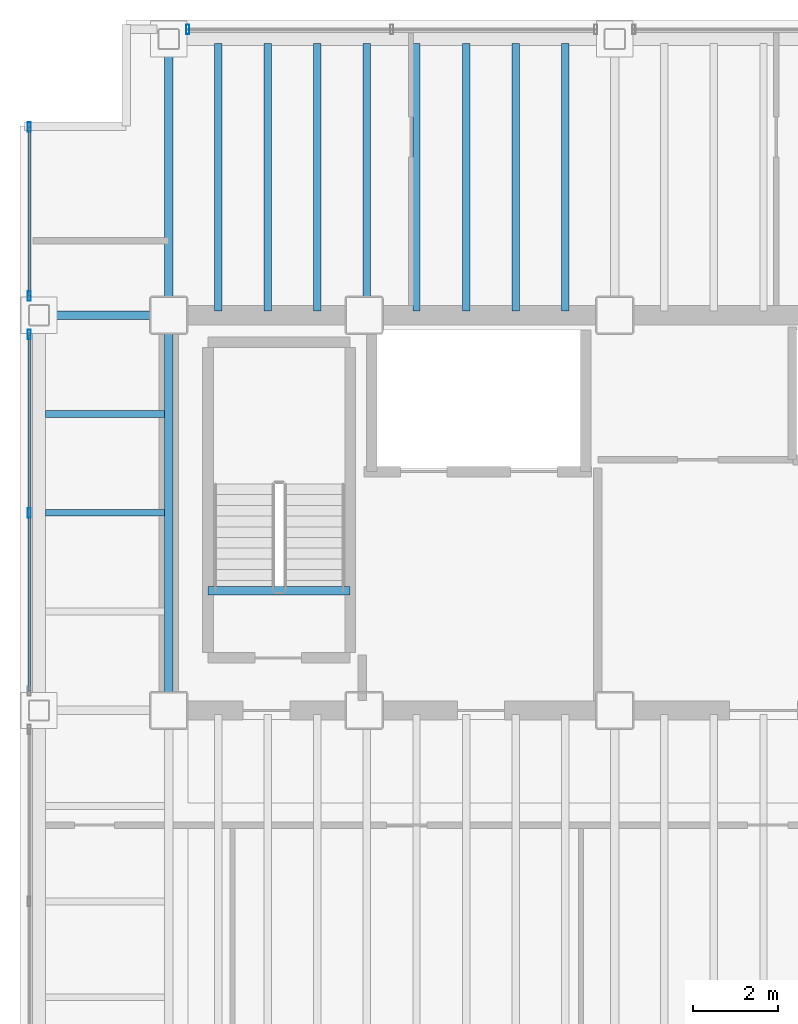
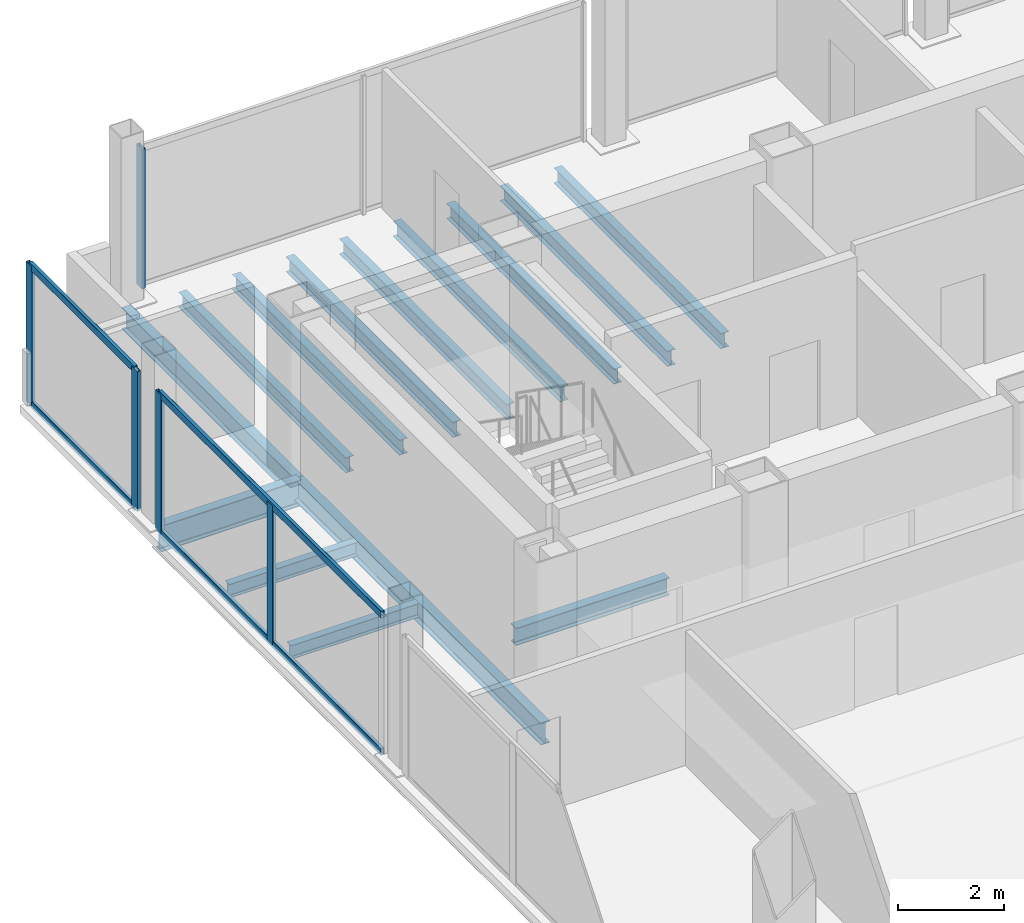
# One storey, part 6 of 15: 14 beams, 9 members, 3 elements without a shape of their own.
"""IFC4 building model written with IfcOpenShell, lengths in metres."""

import ifcopenshell
import ifcopenshell.guid

model = None  # the IFC model being written
_history = None  # IfcOwnerHistory: only IFC2X3 demands one
_inside = {}  # id of a spatial element -> (the spatial element, [elements in it])
_under = {}  # id of a project, library or spatial element -> (it, [spatial elements below it])
_declared = {}  # id of a project -> (the project, [libraries it declares])
_typed = {}  # id of a type object -> (the type object, [elements of that type])
_made_of = {}  # id of a material, layer set ... -> (it, [elements and type objects made of it])


def new_model(schema):
    """Start an empty IFC model of exactly this schema.

    Asked for "IFC4X3", IfcOpenShell would pick the latest addendum, in which some entities
    have other attributes; the version numbers below select the first issue.
    IFC2X3 requires an IfcOwnerHistory on every rooted entity: one is made here for all.
    """
    global model, _history
    if schema == "IFC4X3":
        model = ifcopenshell.file(schema_version=(4, 3, 0, 0))
    else:
        model = ifcopenshell.file(schema=schema)
    _inside.clear()
    _under.clear()
    _declared.clear()
    _typed.clear()
    _made_of.clear()
    _history = None
    if model.schema == "IFC2X3":
        org = make("IfcOrganization", Name="unknown")
        user = make(
            "IfcPersonAndOrganization",
            ThePerson=make("IfcPerson", FamilyName="unknown"),
            TheOrganization=org,
        )
        app = make(
            "IfcApplication",
            ApplicationDeveloper=org,
            Version="unknown",
            ApplicationFullName="unknown",
            ApplicationIdentifier="unknown",
        )
        _history = make(
            "IfcOwnerHistory",
            OwningUser=user,
            OwningApplication=app,
            ChangeAction="ADDED",
            CreationDate=0,
        )
    return model


def make(cls, **values):
    """One entity of the class cls with the attributes given. An attribute that is None is left unset."""
    return model.create_entity(
        cls, **{name: value for name, value in values.items() if value is not None}
    )


def rooted(cls, **values):
    """An entity with a GlobalId (a new one), such as an element, a storey or a relation."""
    return make(cls, GlobalId=ifcopenshell.guid.new(), OwnerHistory=_history, **values)


def si_unit(unit_type, name, prefix=None):
    """IfcSIUnit, for example si_unit("LENGTHUNIT", "METRE", prefix="MILLI")."""
    return make("IfcSIUnit", UnitType=unit_type, Prefix=prefix, Name=name)


def assignment(units):
    """IfcUnitAssignment: the units of a project."""
    return None if units is None else make("IfcUnitAssignment", Units=units)


def point(xyz):
    """IfcCartesianPoint."""
    return None if xyz is None else make("IfcCartesianPoint", Coordinates=xyz)


def direction(xyz):
    """IfcDirection."""
    return None if xyz is None else make("IfcDirection", DirectionRatios=xyz)


def frame(location, z_axis=None, x_axis=None):
    """IfcAxis2Placement3D, a coordinate frame: its origin and axes. An axis left out is left unset."""
    return make(
        "IfcAxis2Placement3D",
        Location=point(location),
        Axis=direction(z_axis),
        RefDirection=direction(x_axis),
    )


def frame_2d(location, x_axis=None):
    """IfcAxis2Placement2D, a coordinate frame in the plane: its origin and x axis."""
    return make(
        "IfcAxis2Placement2D", Location=point(location), RefDirection=direction(x_axis)
    )


def origin():
    """The frame at (0, 0, 0) with its axes left unset."""
    return frame((0.0, 0.0, 0.0))


def origin_2d():
    """The frame at (0, 0) in the plane with its x axis left unset."""
    return frame_2d((0.0, 0.0))


def place(relative_to, where):
    """IfcLocalPlacement: puts the frame where relative to a parent placement (None: the world)."""
    return make(
        "IfcLocalPlacement", PlacementRelTo=relative_to, RelativePlacement=where
    )


def context(
    kind, dimensions, precision=None, world=None, true_north=None, identifier=None
):
    """IfcGeometricRepresentationContext, for example the 3D "Model" context."""
    return make(
        "IfcGeometricRepresentationContext",
        ContextIdentifier=identifier,
        ContextType=kind,
        CoordinateSpaceDimension=dimensions,
        Precision=precision,
        WorldCoordinateSystem=world,
        TrueNorth=true_north,
    )


def subcontext(parent, identifier, kind, view, scale=None):
    """IfcGeometricRepresentationSubContext, for example "Body" below "Model"."""
    return make(
        "IfcGeometricRepresentationSubContext",
        ContextIdentifier=identifier,
        ContextType=kind,
        ParentContext=parent,
        TargetScale=scale,
        TargetView=view,
    )


def project(units=None, contexts=None):
    """IfcProject with its units and contexts."""
    return rooted(
        "IfcProject",
        Name="project",
        RepresentationContexts=contexts,
        UnitsInContext=assignment(units),
    )


def spatial(cls, under=None, at=None, **own):
    """A site, building, storey or space (cls), placed at a placement, below another one or the project."""
    s = rooted(cls, ObjectPlacement=at, **own)
    if under is not None:
        _under.setdefault(under.id(), (under, []))[1].append(s)
    return s


def profile(cls, at=None, kind="AREA", **sizes):
    """A parametric profile (cls). Its sizes go by their IFC names, for example OverallWidth=200.0."""
    return make(cls, ProfileType=kind, Position=at, **sizes)


def hollow_rectangle(**sizes):
    """IfcRectangleHollowProfileDef."""
    return profile("IfcRectangleHollowProfileDef", **sizes)


def i_section(**sizes):
    """IfcIShapeProfileDef."""
    return profile("IfcIShapeProfileDef", **sizes)


def extrude(swept, where, along, depth):
    """IfcExtrudedAreaSolid: the profile swept, set in the frame where, extruded along a direction by depth."""
    return make(
        "IfcExtrudedAreaSolid",
        SweptArea=swept,
        Position=where,
        ExtrudedDirection=direction(along),
        Depth=depth,
    )


def shape(context_of_items, identifier, shape_type, items):
    """IfcShapeRepresentation: the items that make up one representation, for example the "Body"."""
    return make(
        "IfcShapeRepresentation",
        ContextOfItems=context_of_items,
        RepresentationIdentifier=identifier,
        RepresentationType=shape_type,
        Items=items,
    )


def material(Name=None, Category=None):
    """IfcMaterial."""
    return make("IfcMaterial", Name=Name, Category=Category)


def material_profile(
    of_material, cross_section, Name=None, Category=None, Priority=None
):
    """IfcMaterialProfile: a cross section and its material."""
    return make(
        "IfcMaterialProfile",
        Name=Name,
        Material=of_material,
        Profile=cross_section,
        Priority=Priority,
        Category=Category,
    )


def profile_set(profiles, Name=None, composite=None):
    """IfcMaterialProfileSet."""
    return make(
        "IfcMaterialProfileSet",
        Name=Name,
        MaterialProfiles=profiles,
        CompositeProfile=composite,
    )


def made_of(thing, what):
    """Note that an element or type object is made of a material, layer set ...; save() writes the relation."""
    if what is not None:
        _made_of.setdefault(what.id(), (what, []))[1].append(thing)
    return thing


def type_object(cls, material=None, **own):
    """A type object (cls), such as IfcWallType, which elements share."""
    return made_of(rooted(cls, **own), material)


def element(
    cls,
    number,
    at=None,
    inside=None,
    cuts=None,
    type_object=None,
    material=None,
    context=None,
    identifier="Body",
    shape_type=None,
    held_by="IfcProductDefinitionShape",
    body=None,
    shapes=None,
    **own,
):
    """One element of the class cls, such as IfcWall. Its Tag is "e" and its number.

    at: its placement. inside: the storey or other place that contains it. cuts: it is an
    opening in that element (IfcRelVoidsElement). A single representation is given by context,
    identifier, shape_type and body (its items); several are given by shapes. held_by: the class
    of the entity that holds the representations. save() writes the other relations.
    """
    e = rooted(cls, Tag="e%d" % number, ObjectPlacement=at, **own)
    if body is not None:
        shapes = [shape(context, identifier, shape_type, body)]
    if shapes is not None:
        e.Representation = make(held_by, Representations=shapes)
    if inside is not None:
        _inside.setdefault(inside.id(), (inside, []))[1].append(e)
    if cuts is not None:
        rooted(
            "IfcRelVoidsElement", RelatingBuildingElement=cuts, RelatedOpeningElement=e
        )
    if type_object is not None:
        _typed.setdefault(type_object.id(), (type_object, []))[1].append(e)
    return made_of(e, material)


def aggregate(whole, parts):
    """IfcRelAggregates: a whole, such as a stair, and the parts it consists of."""
    return rooted("IfcRelAggregates", RelatingObject=whole, RelatedObjects=parts)


def save(model, path):
    """Write the relations noted so far, then the file.

    IfcRelAggregates (storeys below a building ...), IfcRelContainedInSpatialStructure (elements
    in a storey), IfcRelDefinesByType, IfcRelAssociatesMaterial and IfcRelDeclares: one each for
    every whole, place, type object, material and project.
    """
    for whole, parts in _under.values():
        aggregate(whole, parts)
    for where, things in _inside.values():
        rooted(
            "IfcRelContainedInSpatialStructure",
            RelatedElements=things,
            RelatingStructure=where,
        )
    for kind, things in _typed.values():
        rooted("IfcRelDefinesByType", RelatedObjects=things, RelatingType=kind)
    for what, things in _made_of.values():
        rooted("IfcRelAssociatesMaterial", RelatedObjects=things, RelatingMaterial=what)
    for by, libraries in _declared.values():
        rooted("IfcRelDeclares", RelatingContext=by, RelatedDefinitions=libraries)
    model.write(path)


model = new_model("IFC4")

# Units and contexts
model_context = context("Model", 3, precision=1e-05, world=origin(), true_north=direction((0.0, 1.0)))
body_context = subcontext(model_context, "Body", "Model", "MODEL_VIEW")
ifc_project = project(units=[si_unit("LENGTHUNIT", "METRE"), si_unit("AREAUNIT", "SQUARE_METRE"), si_unit("VOLUMEUNIT", "CUBIC_METRE"), si_unit("PLANEANGLEUNIT", "RADIAN"), si_unit("MASSUNIT", "GRAM", prefix="KILO")], contexts=[model_context])

# Site, building, storey
site_placement = place(None, origin())
site = spatial("IfcSite", under=ifc_project, at=site_placement, CompositionType="ELEMENT")
building_placement = place(site_placement, origin())
building = spatial("IfcBuilding", under=site, at=building_placement, Name="Noeulbin Bourse Tower", CompositionType="ELEMENT")
storey_placement = place(building_placement, frame((0.0, 0.0, 189.0)))
storey = spatial("IfcBuildingStorey", under=building, at=storey_placement, Name="L47", CompositionType="ELEMENT", Elevation=189.0)

# Beams
ifc_material_1 = material(Name="Steel S355", Category="steel")
ifc_material_profile_1 = material_profile(ifc_material_1, i_section(OverallWidth=0.199951171875, OverallDepth=0.5, WebThickness=0.010009765625, FlangeThickness=0.01611328125, FilletRadius=0.02001953125, at=origin_2d()), Name="H-500x200x10x16", Category="LoadBearing")
ifc_profile_set_1 = profile_set([ifc_material_profile_1], Name="Steel S355")
beam_type_1 = type_object("IfcBeamType", Name="BM-GRD-500", PredefinedType="USERDEFINED", material=ifc_profile_set_1)
beam_1_placement = place(storey_placement, frame((13.5, 29.0, -0.429931640625), z_axis=(0.0, 1.0, 0.0), x_axis=(-1.0, 0.0, 0.0)))
element("IfcBeam", 1, at=beam_1_placement, inside=storey, type_object=beam_type_1, Name="Tower Primary Girder NS L47-1.3", ObjectType="GIRDER", PredefinedType="USERDEFINED", context=body_context, shape_type="SweptSolid", body=[
    extrude(i_section(OverallWidth=0.199951171875, OverallDepth=0.5, WebThickness=0.010009765625, FlangeThickness=0.01611328125, FilletRadius=0.02001953125, at=origin_2d()), origin(), (0.0, 0.0, 1.0), 9.300048828125),
])
beam_2_placement = place(storey_placement, frame((13.5, 38.300048828125, -0.429931640625), z_axis=(0.0, 1.0, 0.0), x_axis=(-1.0, 0.0, 0.0)))
element("IfcBeam", 2, at=beam_2_placement, inside=storey, type_object=beam_type_1, Name="Tower Primary Girder NS L47-1.4", ObjectType="GIRDER", PredefinedType="USERDEFINED", context=body_context, shape_type="SweptSolid", body=[
    extrude(i_section(OverallWidth=0.199951171875, OverallDepth=0.5, WebThickness=0.010009765625, FlangeThickness=0.01611328125, FilletRadius=0.02001953125, at=origin_2d()), origin(), (0.0, 0.0, 1.0), 6.5),
])
ifc_material_profile_2 = material_profile(ifc_material_1, i_section(OverallWidth=0.199951171875, OverallDepth=0.60009765625, WebThickness=0.010986328125, FlangeThickness=0.01708984375, FilletRadius=0.02197265625, at=origin_2d()), Name="H-600x200x11x17", Category="LoadBearing")
ifc_profile_set_2 = profile_set([ifc_material_profile_2], Name="Steel S355")
beam_type_2 = type_object("IfcBeamType", Name="BM-GRD-600", PredefinedType="USERDEFINED", material=ifc_profile_set_2)
beam_3_placement = place(storey_placement, frame((10.449951171875, 38.300048828125, -0.47998046875), z_axis=(1.0, 0.0, 0.0), x_axis=(0.0, 1.0, 0.0)))
element("IfcBeam", 3, at=beam_3_placement, inside=storey, type_object=beam_type_2, Name="Tower Primary Girder EW L47-3.1", ObjectType="GIRDER", PredefinedType="USERDEFINED", context=body_context, shape_type="SweptSolid", body=[
    extrude(i_section(OverallWidth=0.199951171875, OverallDepth=0.60009765625, WebThickness=0.010986328125, FlangeThickness=0.01708984375, FilletRadius=0.02197265625, at=origin_2d()), origin(), (0.0, 0.0, 1.0), 3.050048828125),
])
ifc_material_profile_3 = material_profile(ifc_material_1, i_section(OverallWidth=0.159912109375, OverallDepth=0.320068359375, WebThickness=0.006591796875, FlangeThickness=0.010009765625, FilletRadius=0.012939453125, at=origin_2d()), Name="H-320x160x6.5x10", Category="LoadBearing")
ifc_profile_set_3 = profile_set([ifc_material_profile_3], Name="Steel S355")
beam_type_3 = type_object("IfcBeamType", Name="BM-JST-320", PredefinedType="JOIST", material=ifc_profile_set_3)
for number, where, z_axis, x_axis, name in (
    (4, (10.60009765625, 33.64990234375, -0.340087890625), (1.0, 0.0, 0.0), (0.0, 1.0, 0.0), "Wing Composite Joist L47-W71"),
    (5, (10.60009765625, 35.97509765625, -0.340087890625), (1.0, 0.0, 0.0), (0.0, 1.0, 0.0), "Wing Composite Joist L47-W72"),
):
    element("IfcBeam", number, at=place(storey_placement, frame(where, z_axis=z_axis, x_axis=x_axis)), inside=storey, type_object=beam_type_3, Name=name, PredefinedType="JOIST", context=body_context, shape_type="SweptSolid", body=[
        extrude(i_section(OverallWidth=0.159912109375, OverallDepth=0.320068359375, WebThickness=0.006591796875, FlangeThickness=0.010009765625, FilletRadius=0.012939453125, at=origin_2d()), origin(), (0.0, 0.0, 1.0), 2.7998046875),
    ])
ifc_material_profile_4 = material_profile(ifc_material_1, i_section(OverallWidth=0.175048828125, OverallDepth=0.35009765625, WebThickness=0.007080078125, FlangeThickness=0.010986328125, FilletRadius=0.013916015625, at=origin_2d()), Name="H-350x175x7x11", Category="LoadBearing")
ifc_profile_set_4 = profile_set([ifc_material_profile_4], Name="Steel S355")
beam_type_4 = type_object("IfcBeamType", Name="BM-JST-350", PredefinedType="JOIST", material=ifc_profile_set_4)
for number, where, z_axis, x_axis, name in (
    (6, (14.666748046875, 38.39990234375, -0.35498046875), (0.0, 1.0, 0.0), (-1.0, 0.0, 0.0), "Tower Composite Joist L47-03"),
    (7, (15.833251953125, 38.39990234375, -0.35498046875), (0.0, 1.0, 0.0), (-1.0, 0.0, 0.0), "Tower Composite Joist L47-06"),
    (8, (17.0, 38.39990234375, -0.35498046875), (0.0, 1.0, 0.0), (-1.0, 0.0, 0.0), "Tower Composite Joist L47-09"),
    (9, (18.166748046875, 38.39990234375, -0.35498046875), (0.0, 1.0, 0.0), (-1.0, 0.0, 0.0), "Tower Composite Joist L47-12"),
    (10, (19.333251953125, 38.39990234375, -0.35498046875), (0.0, 1.0, 0.0), (-1.0, 0.0, 0.0), "Tower Composite Joist L47-15"),
    (11, (20.5, 38.39990234375, -0.35498046875), (0.0, 1.0, 0.0), (-1.0, 0.0, 0.0), "Tower Composite Joist L47-18"),
    (12, (21.666748046875, 38.39990234375, -0.35498046875), (0.0, 1.0, 0.0), (-1.0, 0.0, 0.0), "Tower Composite Joist L47-21"),
    (13, (22.833251953125, 38.39990234375, -0.35498046875), (0.0, 1.0, 0.0), (-1.0, 0.0, 0.0), "Tower Composite Joist L47-24"),
):
    element("IfcBeam", number, at=place(storey_placement, frame(where, z_axis=z_axis, x_axis=x_axis)), inside=storey, type_object=beam_type_4, Name=name, PredefinedType="JOIST", context=body_context, shape_type="SweptSolid", body=[
        extrude(i_section(OverallWidth=0.175048828125, OverallDepth=0.35009765625, WebThickness=0.007080078125, FlangeThickness=0.010986328125, FilletRadius=0.013916015625, at=origin_2d()), origin(), (0.0, 0.0, 1.0), 6.300048828125),
    ])
ifc_material_profile_5 = material_profile(ifc_material_1, i_section(OverallWidth=0.199951171875, OverallDepth=0.39990234375, WebThickness=0.008056640625, FlangeThickness=0.012939453125, FilletRadius=0.01611328125, at=origin_2d()), Name="H-400x200x8x13", Category="LoadBearing")
ifc_profile_set_5 = profile_set([ifc_material_profile_5], Name="Steel S355")
beam_type_5 = type_object("IfcBeamType", Name="BM-SEC-400", PredefinedType="BEAM", material=ifc_profile_set_5)
beam_4_placement = place(storey_placement, frame((14.429931640625, 31.820068359375, -0.199951171875), z_axis=(1.0, 0.0, 0.0), x_axis=(0.0, 1.0, 0.0)))
element("IfcBeam", 14, at=beam_4_placement, inside=storey, type_object=beam_type_5, Name="Stair Threshold Trimmer Beam ST1-L47", PredefinedType="BEAM", context=body_context, shape_type="SweptSolid", body=[
    extrude(i_section(OverallWidth=0.199951171875, OverallDepth=0.39990234375, WebThickness=0.008056640625, FlangeThickness=0.012939453125, FilletRadius=0.01611328125, at=origin_2d()), origin(), (0.0, 0.0, 1.0), 3.340087890625),
])

# Curtain wall, member
ifc_material_2 = material(Name="Dark Tinted Triple Glazing", Category="glass")
curtain_wall_type = type_object("IfcCurtainWallType", Name="CW-SYS-3", PredefinedType="NOTDEFINED", material=ifc_material_2)
curtain_wall_1_placement = place(storey_placement, origin())
curtain_wall_1 = element("IfcCurtainWall", 15, at=curtain_wall_1_placement, inside=storey, type_object=curtain_wall_type, Name="Unitised Curtain Wall CW-L47-N-S1", PredefinedType="NOTDEFINED")
ifc_material_3 = material(Name="Anodised Aluminium 6063-T6", Category="aluminium")
ifc_material_profile_6 = material_profile(ifc_material_3, hollow_rectangle(XDim=0.074951171875, YDim=0.219970703125, WallThickness=0.0048828125, InnerFilletRadius=0.00244140625, OuterFilletRadius=0.0048828125, at=origin_2d()), Name="ALU-MULL-75x220x5", Category="LoadBearing")
ifc_profile_set_6 = profile_set([ifc_material_profile_6], Name="Anodised Aluminium 6063-T6")
member_type_1 = type_object("IfcMemberType", Name="CW-SYS-3-MUL", PredefinedType="MULLION", material=ifc_profile_set_6)
member_1_placement = place(storey_placement, frame((13.949951171875, 45.030029296875, -0.02001953125), z_axis=(0.0, 0.0, 1.0), x_axis=(1.0, 0.0, 0.0)))
member_1 = element("IfcMember", 16, at=member_1_placement, type_object=member_type_1, Name="Curtain Wall Mullion CW-L47-N-S1-M00", PredefinedType="MULLION", context=body_context, shape_type="SweptSolid", body=[
    extrude(hollow_rectangle(XDim=0.074951171875, YDim=0.219970703125, WallThickness=0.0048828125, InnerFilletRadius=0.00244140625, OuterFilletRadius=0.0048828125, at=origin_2d()), origin(), (0.0, 0.0, 1.0), 3.219970703125),
])
aggregate(curtain_wall_1, [member_1])

# Curtain wall, members
curtain_wall_2_placement = place(storey_placement, origin())
curtain_wall_2 = element("IfcCurtainWall", 17, at=curtain_wall_2_placement, inside=storey, type_object=curtain_wall_type, Name="Unitised Curtain Wall CW-L47-W-S2", PredefinedType="NOTDEFINED")
member_2_placement = place(storey_placement, frame((10.219970703125, 33.64990234375, -0.02001953125), z_axis=(0.0, 0.0, 1.0), x_axis=(1.0, 0.0, 0.0)))
member_2 = element("IfcMember", 18, at=member_2_placement, type_object=member_type_1, Name="Curtain Wall Mullion CW-L47-W-S2-M01", PredefinedType="MULLION", context=body_context, shape_type="SweptSolid", body=[
    extrude(hollow_rectangle(XDim=0.074951171875, YDim=0.219970703125, WallThickness=0.0048828125, InnerFilletRadius=0.00244140625, OuterFilletRadius=0.0048828125, at=origin_2d()), origin(), (0.0, 0.0, 1.0), 3.219970703125),
])
member_3_placement = place(storey_placement, frame((10.219970703125, 37.85009765625, -0.02001953125), z_axis=(0.0, 0.0, 1.0), x_axis=(1.0, 0.0, 0.0)))
member_3 = element("IfcMember", 19, at=member_3_placement, type_object=member_type_1, Name="Curtain Wall Mullion CW-L47-W-S2-M02", PredefinedType="MULLION", context=body_context, shape_type="SweptSolid", body=[
    extrude(hollow_rectangle(XDim=0.074951171875, YDim=0.219970703125, WallThickness=0.0048828125, InnerFilletRadius=0.00244140625, OuterFilletRadius=0.0048828125, at=origin_2d()), origin(), (0.0, 0.0, 1.0), 3.219970703125),
])

curtain_wall_3_placement = place(storey_placement, origin())
curtain_wall_3 = element("IfcCurtainWall", 20, at=curtain_wall_3_placement, inside=storey, type_object=curtain_wall_type, Name="Unitised Curtain Wall CW-L47-W-S3", PredefinedType="NOTDEFINED")
member_4_placement = place(storey_placement, frame((10.219970703125, 38.75, -0.02001953125), z_axis=(0.0, 0.0, 1.0), x_axis=(1.0, 0.0, 0.0)))
member_4 = element("IfcMember", 21, at=member_4_placement, type_object=member_type_1, Name="Curtain Wall Mullion CW-L47-W-S3-M00", PredefinedType="MULLION", context=body_context, shape_type="SweptSolid", body=[
    extrude(hollow_rectangle(XDim=0.074951171875, YDim=0.219970703125, WallThickness=0.0048828125, InnerFilletRadius=0.00244140625, OuterFilletRadius=0.0048828125, at=origin_2d()), origin(), (0.0, 0.0, 1.0), 3.219970703125),
])
member_5_placement = place(storey_placement, frame((10.219970703125, 42.72998046875, -0.02001953125), z_axis=(0.0, 0.0, 1.0), x_axis=(1.0, 0.0, 0.0)))
member_5 = element("IfcMember", 22, at=member_5_placement, type_object=member_type_1, Name="Curtain Wall Mullion CW-L47-W-S3-M01", PredefinedType="MULLION", context=body_context, shape_type="SweptSolid", body=[
    extrude(hollow_rectangle(XDim=0.074951171875, YDim=0.219970703125, WallThickness=0.0048828125, InnerFilletRadius=0.00244140625, OuterFilletRadius=0.0048828125, at=origin_2d()), origin(), (0.0, 0.0, 1.0), 3.219970703125),
])

# Member
ifc_material_profile_7 = material_profile(ifc_material_3, hollow_rectangle(XDim=0.074951171875, YDim=0.159912109375, WallThickness=0.0048828125, InnerFilletRadius=0.00244140625, OuterFilletRadius=0.0048828125, at=origin_2d()), Name="ALU-TRAN-75x160x5", Category="LoadBearing")
ifc_profile_set_7 = profile_set([ifc_material_profile_7], Name="Anodised Aluminium 6063-T6")
member_type_2 = type_object("IfcMemberType", Name="CW-SYS-3-TRN", PredefinedType="USERDEFINED", material=ifc_profile_set_7)
member_6_placement = place(storey_placement, frame((10.219970703125, 29.4599609375, 0.010009765625), z_axis=(0.0, 1.0, 0.0), x_axis=(-1.0, 0.0, 0.0)))
member_6 = element("IfcMember", 23, at=member_6_placement, type_object=member_type_2, Name="Curtain Wall Transom CW-L47-W-S2-T00", ObjectType="TRANSOM", PredefinedType="USERDEFINED", context=body_context, shape_type="SweptSolid", body=[
    extrude(hollow_rectangle(XDim=0.074951171875, YDim=0.159912109375, WallThickness=0.0048828125, InnerFilletRadius=0.00244140625, OuterFilletRadius=0.0048828125, at=origin_2d()), origin(), (0.0, 0.0, 1.0), 8.380126953125),
])

member_7_placement = place(storey_placement, frame((10.219970703125, 29.4599609375, 3.169921875), z_axis=(0.0, 1.0, 0.0), x_axis=(-1.0, 0.0, 0.0)))
member_7 = element("IfcMember", 24, at=member_7_placement, type_object=member_type_2, Name="Curtain Wall Transom CW-L47-W-S2-T01", ObjectType="TRANSOM", PredefinedType="USERDEFINED", context=body_context, shape_type="SweptSolid", body=[
    extrude(hollow_rectangle(XDim=0.074951171875, YDim=0.159912109375, WallThickness=0.0048828125, InnerFilletRadius=0.00244140625, OuterFilletRadius=0.0048828125, at=origin_2d()), origin(), (0.0, 0.0, 1.0), 8.380126953125),
])

aggregate(curtain_wall_2, [member_2, member_3, member_6, member_7])

member_8_placement = place(storey_placement, frame((10.219970703125, 38.760009765625, 0.010009765625), z_axis=(0.0, 1.0, 0.0), x_axis=(-1.0, 0.0, 0.0)))
member_8 = element("IfcMember", 25, at=member_8_placement, type_object=member_type_2, Name="Curtain Wall Transom CW-L47-W-S3-T00", ObjectType="TRANSOM", PredefinedType="USERDEFINED", context=body_context, shape_type="SweptSolid", body=[
    extrude(hollow_rectangle(XDim=0.074951171875, YDim=0.159912109375, WallThickness=0.0048828125, InnerFilletRadius=0.00244140625, OuterFilletRadius=0.0048828125, at=origin_2d()), origin(), (0.0, 0.0, 1.0), 3.9599609375),
])

member_9_placement = place(storey_placement, frame((10.219970703125, 38.760009765625, 3.169921875), z_axis=(0.0, 1.0, 0.0), x_axis=(-1.0, 0.0, 0.0)))
member_9 = element("IfcMember", 26, at=member_9_placement, type_object=member_type_2, Name="Curtain Wall Transom CW-L47-W-S3-T01", ObjectType="TRANSOM", PredefinedType="USERDEFINED", context=body_context, shape_type="SweptSolid", body=[
    extrude(hollow_rectangle(XDim=0.074951171875, YDim=0.159912109375, WallThickness=0.0048828125, InnerFilletRadius=0.00244140625, OuterFilletRadius=0.0048828125, at=origin_2d()), origin(), (0.0, 0.0, 1.0), 3.9599609375),
])

aggregate(curtain_wall_3, [member_4, member_5, member_8, member_9])

save(model, "model.ifc")
